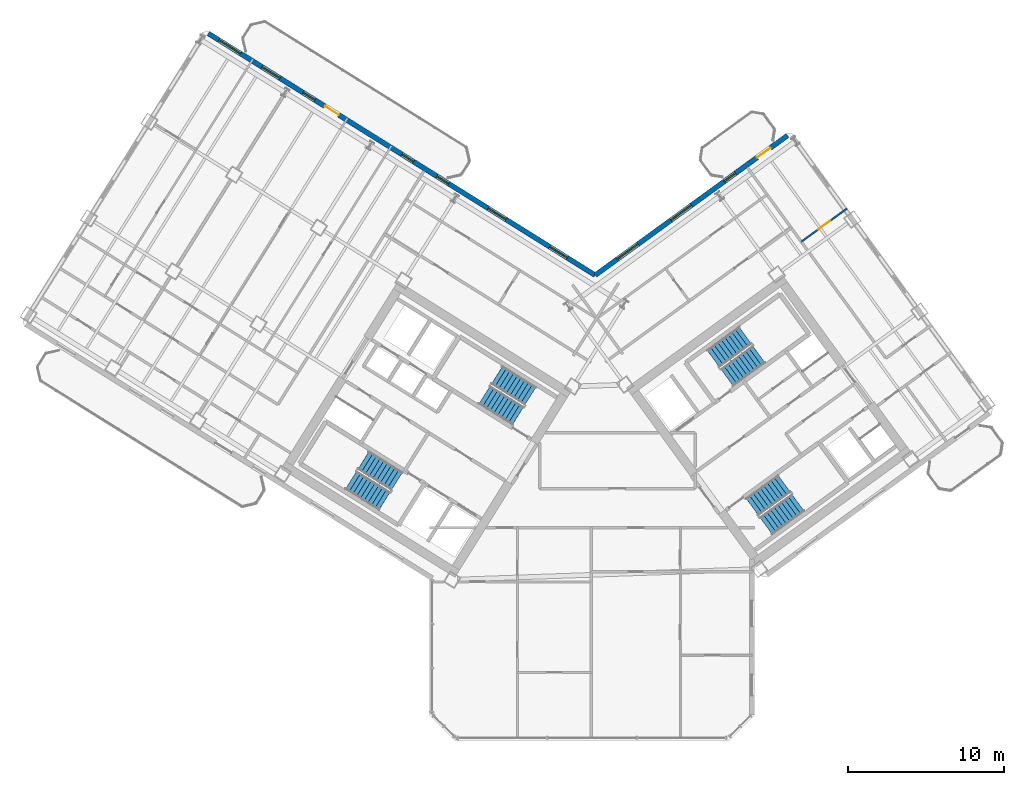
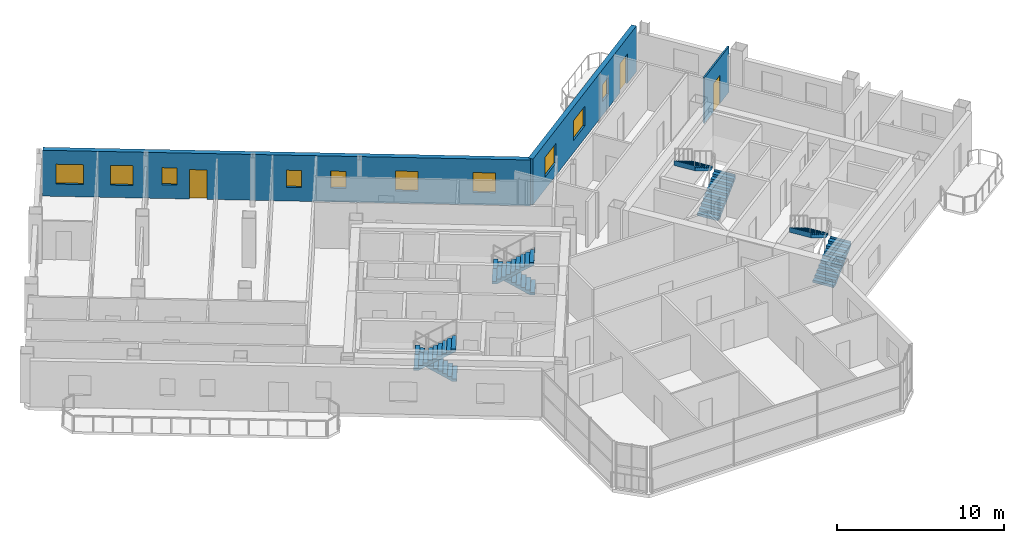
# One storey, part 16 of 20: 10 windows, 8 stair flights, 3 doors, 3 walls, 13 openings, 4 elements without a shape of their own.
"""IFC4 building model written with IfcOpenShell, lengths in metres."""

from ifc_helpers import new_model, si_unit, direction, frame, frame_2d, origin, place, context, subcontext, project, spatial, polyline, rectangle, outline, extrude, source, transform, mapped, material, layer, layer_set, type_object, element, fill, aggregate, save


model = new_model("IFC4")

# Units and contexts
model_context = context("Model", 3, precision=1e-05, world=origin(), true_north=direction((0.0, 1.0)))
body_context = subcontext(model_context, "Body", "Model", "MODEL_VIEW")
ifc_project = project(units=[si_unit("LENGTHUNIT", "METRE"), si_unit("AREAUNIT", "SQUARE_METRE"), si_unit("VOLUMEUNIT", "CUBIC_METRE"), si_unit("PLANEANGLEUNIT", "RADIAN"), si_unit("MASSUNIT", "GRAM", prefix="KILO")], contexts=[model_context])

# Site, building, storey
site_placement = place(None, origin())
site = spatial("IfcSite", under=ifc_project, at=site_placement, CompositionType="ELEMENT")
building_placement = place(site_placement, origin())
building = spatial("IfcBuilding", under=site, at=building_placement, Name="Tlacorven Tower", CompositionType="ELEMENT")
storey_placement = place(building_placement, frame((0.0, 0.0, 204.0)))
storey = spatial("IfcBuildingStorey", under=building, at=storey_placement, Name="L51", CompositionType="ELEMENT", Elevation=204.0)

# Wall, openings, door, windows
ifc_material_1 = material(Name="Precast concrete C45/55", Category="concrete")
ifc_layer_1 = layer(ifc_material_1, 0.320068359375)
ifc_layer_set_1 = layer_set([ifc_layer_1], Name="Precast concrete C45/55")
wall_type_1 = type_object("IfcWallType", Name="WL-EXT-320", PredefinedType="STANDARD", material=ifc_layer_set_1)
wall_1_placement = place(storey_placement, frame((17.423828125, 47.083251953125, 0.0), z_axis=(0.0, 0.0, 1.0), x_axis=(0.848049927979, -0.529916332693, 0.0)))
wall_1 = element("IfcWall", 1, at=wall_1_placement, inside=storey, type_object=wall_type_1, Name="L51 Masonry-Frame Recessed Facade Wall 3", PredefinedType="STANDARD", context=body_context, shape_type="SweptSolid", body=[
    extrude(rectangle(XDim=29.22314453125, YDim=0.320068359375, at=frame_2d((14.611572265625, 0.0))), origin(), (0.0, 0.0, 1.0), 3.35009765625),
])
opening_1_placement = place(wall_1_placement, frame((8.798583984375, 0.0, 0.0)))
opening_1 = element("IfcOpeningElement", 2, at=opening_1_placement, cuts=wall_1, Name="Opening D06", PredefinedType="OPENING", context=body_context, shape_type="SweptSolid", body=[
    extrude(rectangle(XDim=1.050048828125, YDim=2.14990234375, at=frame_2d((0.52490234375, 1.074951171875))), frame((0.0, 0.169921875, 0.0), z_axis=(0.0, -1.0, 0.0), x_axis=(1.0, 0.0, 0.0)), (0.0, 0.0, 1.0), 0.340087890625),
])
opening_2_placement = place(wall_1_placement, frame((0.79443359375, 0.0, 0.89990234375)))
opening_2 = element("IfcOpeningElement", 3, at=opening_2_placement, cuts=wall_1, Name="Opening WN07", PredefinedType="OPENING", context=body_context, shape_type="SweptSolid", body=[
    extrude(rectangle(XDim=1.64990234375, YDim=1.449951171875, at=frame_2d((0.824951171875, 0.72509765625))), frame((0.0, 0.169921875, 0.0), z_axis=(0.0, -1.0, 0.0), x_axis=(1.0, 0.0, 0.0)), (0.0, 0.0, 1.0), 0.340087890625),
])
opening_3_placement = place(wall_1_placement, frame((4.05615234375, 0.0, 0.89990234375)))
opening_3 = element("IfcOpeningElement", 4, at=opening_3_placement, cuts=wall_1, Name="Opening WN08", PredefinedType="OPENING", context=body_context, shape_type="SweptSolid", body=[
    extrude(rectangle(XDim=1.35009765625, YDim=1.449951171875, at=frame_2d((0.675048828125, 0.72509765625))), frame((0.0, 0.169921875, 0.0), z_axis=(0.0, -1.0, 0.0), x_axis=(1.0, 0.0, 0.0)), (0.0, 0.0, 1.0), 0.340087890625),
])
opening_4_placement = place(wall_1_placement, frame((7.151123046875, 0.0, 1.0)))
opening_4 = element("IfcOpeningElement", 5, at=opening_4_placement, cuts=wall_1, Name="Opening WN05", PredefinedType="OPENING", context=body_context, shape_type="SweptSolid", body=[
    extrude(rectangle(XDim=0.89990234375, YDim=1.25, at=frame_2d((0.449951171875, 0.625))), frame((0.0, 0.169921875, 0.0), z_axis=(0.0, -1.0, 0.0), x_axis=(1.0, 0.0, 0.0)), (0.0, 0.0, 1.0), 0.340087890625),
])
opening_5_placement = place(wall_1_placement, frame((14.6123046875, 0.0, 1.0)))
opening_5 = element("IfcOpeningElement", 6, at=opening_5_placement, cuts=wall_1, Name="Opening WN05", PredefinedType="OPENING", context=body_context, shape_type="SweptSolid", body=[
    extrude(rectangle(XDim=0.89990234375, YDim=1.25, at=frame_2d((0.449951171875, 0.625))), frame((0.0, 0.169921875, 0.0), z_axis=(0.0, -1.0, 0.0), x_axis=(1.0, 0.0, 0.0)), (0.0, 0.0, 1.0), 0.340087890625),
])
opening_6_placement = place(wall_1_placement, frame((17.253662109375, 0.0, 1.0)))
opening_6 = element("IfcOpeningElement", 7, at=opening_6_placement, cuts=wall_1, Name="Opening WN05", PredefinedType="OPENING", context=body_context, shape_type="SweptSolid", body=[
    extrude(rectangle(XDim=0.89990234375, YDim=1.25, at=frame_2d((0.449951171875, 0.625))), frame((0.0, 0.169921875, 0.0), z_axis=(0.0, -1.0, 0.0), x_axis=(1.0, 0.0, 0.0)), (0.0, 0.0, 1.0), 0.340087890625),
])
opening_7_placement = place(wall_1_placement, frame((21.138671875, 0.0, 0.89990234375)))
opening_7 = element("IfcOpeningElement", 8, at=opening_7_placement, cuts=wall_1, Name="Opening WN08", PredefinedType="OPENING", context=body_context, shape_type="SweptSolid", body=[
    extrude(rectangle(XDim=1.35009765625, YDim=1.449951171875, at=frame_2d((0.675048828125, 0.72509765625))), frame((0.0, 0.169921875, 0.0), z_axis=(0.0, -1.0, 0.0), x_axis=(1.0, 0.0, 0.0)), (0.0, 0.0, 1.0), 0.340087890625),
])
opening_8_placement = place(wall_1_placement, frame((25.7783203125, 0.0, 0.89990234375)))
opening_8 = element("IfcOpeningElement", 9, at=opening_8_placement, cuts=wall_1, Name="Opening WN08", PredefinedType="OPENING", context=body_context, shape_type="SweptSolid", body=[
    extrude(rectangle(XDim=1.35009765625, YDim=1.449951171875, at=frame_2d((0.675048828125, 0.72509765625))), frame((0.0, 0.169921875, 0.0), z_axis=(0.0, -1.0, 0.0), x_axis=(1.0, 0.0, 0.0)), (0.0, 0.0, 1.0), 0.340087890625),
])
ifc_material_2 = material(Name="Powder-coated aluminium and timber door", Category="wood")
door_type_1 = type_object("IfcDoorType", Name="DR-EXT-BALC-1050", OperationType="NOTDEFINED", PredefinedType="DOOR", material=ifc_material_2)
shared_shape_1 = source(origin(), body_context, "Body", "SweptSolid", [
    extrude(rectangle(XDim=1.050048828125, YDim=2.14990234375, at=frame_2d((0.52490234375, 1.074951171875))), frame((0.0, 0.02490234375, 0.0), z_axis=(0.0, -1.0, 0.0), x_axis=(1.0, 0.0, 0.0)), (0.0, 0.0, 1.0), 0.050048828125),
])
door_1_placement = place(opening_1_placement, origin())
door_1 = element("IfcDoor", 10, at=door_1_placement, inside=storey, type_object=door_type_1, Name="L51 Outdoor Access Door BAL-L51-W-IN", OperationType="SINGLE_SWING_RIGHT", OverallHeight=2.14990234375, OverallWidth=1.050048828125, PredefinedType="DOOR", context=body_context, shape_type="MappedRepresentation", body=[
    mapped(shared_shape_1, transform((0.0, 0.0, 0.0), scale=1.0)),
])
fill(opening_1, door_1)
ifc_material_3 = material(Name="Dark solar low-E double glazing in anodised aluminium frame", Category="aluminium")
window_type_1 = type_object("IfcWindowType", Name="WN-APT-0900X1350", PartitioningType="SINGLE_PANEL", PredefinedType="WINDOW", material=ifc_material_3)
shared_shape_2 = source(origin(), body_context, "Body", "SweptSolid", [
    extrude(rectangle(XDim=0.89990234375, YDim=1.25, at=frame_2d((0.449951171875, 0.625))), frame((0.0, 0.030029296875, 0.0), z_axis=(0.0, -1.0, 0.0), x_axis=(1.0, 0.0, 0.0)), (0.0, 0.0, 1.0), 0.06005859375),
])
window_1_placement = place(opening_4_placement, origin())
window_1 = element("IfcWindow", 11, at=window_1_placement, inside=storey, type_object=window_type_1, Name="L51 Recessed Masonry-Frame Window L51-03.3", OverallHeight=1.25, OverallWidth=0.89990234375, PartitioningType="SINGLE_PANEL", PredefinedType="WINDOW", context=body_context, shape_type="MappedRepresentation", body=[
    mapped(shared_shape_2, transform((0.0, 0.0, 0.0), scale=1.0)),
])
fill(opening_4, window_1)
window_2_placement = place(opening_5_placement, origin())
window_2 = element("IfcWindow", 12, at=window_2_placement, inside=storey, type_object=window_type_1, Name="L51 Recessed Masonry-Frame Window L51-03.4", OverallHeight=1.25, OverallWidth=0.89990234375, PartitioningType="SINGLE_PANEL", PredefinedType="WINDOW", context=body_context, shape_type="MappedRepresentation", body=[
    mapped(shared_shape_2, transform((0.0, 0.0, 0.0), scale=1.0)),
])
fill(opening_5, window_2)
window_3_placement = place(opening_6_placement, origin())
window_3 = element("IfcWindow", 13, at=window_3_placement, inside=storey, type_object=window_type_1, Name="L51 Recessed Masonry-Frame Window L51-03.5", OverallHeight=1.25, OverallWidth=0.89990234375, PartitioningType="SINGLE_PANEL", PredefinedType="WINDOW", context=body_context, shape_type="MappedRepresentation", body=[
    mapped(shared_shape_2, transform((0.0, 0.0, 0.0), scale=1.0)),
])
fill(opening_6, window_3)
window_type_2 = type_object("IfcWindowType", Name="WN-APT-1650X1600", PartitioningType="SINGLE_PANEL", PredefinedType="WINDOW", material=ifc_material_3)
shared_shape_3 = source(origin(), body_context, "Body", "SweptSolid", [
    extrude(rectangle(XDim=1.64990234375, YDim=1.449951171875, at=frame_2d((0.824951171875, 0.72509765625))), frame((0.0, 0.030029296875, 0.0), z_axis=(0.0, -1.0, 0.0), x_axis=(1.0, 0.0, 0.0)), (0.0, 0.0, 1.0), 0.06005859375),
])
window_4_placement = place(opening_2_placement, origin())
window_4 = element("IfcWindow", 14, at=window_4_placement, inside=storey, type_object=window_type_2, Name="L51 Recessed Masonry-Frame Window L51-03.1", OverallHeight=1.449951171875, OverallWidth=1.64990234375, PartitioningType="SINGLE_PANEL", PredefinedType="WINDOW", context=body_context, shape_type="MappedRepresentation", body=[
    mapped(shared_shape_3, transform((0.0, 0.0, 0.0), scale=1.0)),
])
fill(opening_2, window_4)
window_type_3 = type_object("IfcWindowType", Name="WN-APT-1350X1550", PartitioningType="SINGLE_PANEL", PredefinedType="WINDOW", material=ifc_material_3)
shared_shape_4 = source(origin(), body_context, "Body", "SweptSolid", [
    extrude(rectangle(XDim=1.35009765625, YDim=1.449951171875, at=frame_2d((0.675048828125, 0.72509765625))), frame((0.0, 0.030029296875, 0.0), z_axis=(0.0, -1.0, 0.0), x_axis=(1.0, 0.0, 0.0)), (0.0, 0.0, 1.0), 0.06005859375),
])
window_5_placement = place(opening_3_placement, origin())
window_5 = element("IfcWindow", 15, at=window_5_placement, inside=storey, type_object=window_type_3, Name="L51 Recessed Masonry-Frame Window L51-03.2", OverallHeight=1.449951171875, OverallWidth=1.35009765625, PartitioningType="SINGLE_PANEL", PredefinedType="WINDOW", context=body_context, shape_type="MappedRepresentation", body=[
    mapped(shared_shape_4, transform((0.0, 0.0, 0.0), scale=1.0)),
])
fill(opening_3, window_5)
window_6_placement = place(opening_7_placement, origin())
window_6 = element("IfcWindow", 16, at=window_6_placement, inside=storey, type_object=window_type_3, Name="L51 Recessed Masonry-Frame Window L51-03.6", OverallHeight=1.449951171875, OverallWidth=1.35009765625, PartitioningType="SINGLE_PANEL", PredefinedType="WINDOW", context=body_context, shape_type="MappedRepresentation", body=[
    mapped(shared_shape_4, transform((0.0, 0.0, 0.0), scale=1.0)),
])
fill(opening_7, window_6)
window_7_placement = place(opening_8_placement, origin())
window_7 = element("IfcWindow", 17, at=window_7_placement, inside=storey, type_object=window_type_3, Name="L51 Recessed Masonry-Frame Window L51-03.7", OverallHeight=1.449951171875, OverallWidth=1.35009765625, PartitioningType="SINGLE_PANEL", PredefinedType="WINDOW", context=body_context, shape_type="MappedRepresentation", body=[
    mapped(shared_shape_4, transform((0.0, 0.0, 0.0), scale=1.0)),
])
fill(opening_8, window_7)

wall_2_placement = place(storey_placement, frame((42.20654296875, 31.597412109375, 0.0), z_axis=(0.0, 0.0, 1.0), x_axis=(0.809020333377, 0.587780656523, 0.0)))
wall_2 = element("IfcWall", 18, at=wall_2_placement, inside=storey, type_object=wall_type_1, Name="L51 Masonry-Frame Recessed Facade Wall 4", PredefinedType="STANDARD", context=body_context, shape_type="SweptSolid", body=[
    extrude(rectangle(XDim=15.222900390625, YDim=0.320068359375, at=frame_2d((7.611328125, 0.0))), origin(), (0.0, 0.0, 1.0), 3.35009765625),
])
opening_9_placement = place(wall_2_placement, frame((12.81982421875, 0.0, 0.0)))
opening_9 = element("IfcOpeningElement", 19, at=opening_9_placement, cuts=wall_2, Name="Opening D06", PredefinedType="OPENING", context=body_context, shape_type="SweptSolid", body=[
    extrude(rectangle(XDim=1.050048828125, YDim=2.14990234375, at=frame_2d((0.52490234375, 1.074951171875))), frame((0.0, 0.169921875, 0.0), z_axis=(0.0, -1.0, 0.0), x_axis=(1.0, 0.0, 0.0)), (0.0, 0.0, 1.0), 0.340087890625),
])
opening_10_placement = place(wall_2_placement, frame((1.744873046875, 0.0, 0.89990234375)))
opening_10 = element("IfcOpeningElement", 20, at=opening_10_placement, cuts=wall_2, Name="Opening WN07", PredefinedType="OPENING", context=body_context, shape_type="SweptSolid", body=[
    extrude(rectangle(XDim=1.64990234375, YDim=1.449951171875, at=frame_2d((0.824951171875, 0.72509765625))), frame((0.0, 0.169921875, 0.0), z_axis=(0.0, -1.0, 0.0), x_axis=(1.0, 0.0, 0.0)), (0.0, 0.0, 1.0), 0.340087890625),
])
opening_11_placement = place(wall_2_placement, frame((5.984619140625, 0.0, 0.89990234375)))
opening_11 = element("IfcOpeningElement", 21, at=opening_11_placement, cuts=wall_2, Name="Opening WN07", PredefinedType="OPENING", context=body_context, shape_type="SweptSolid", body=[
    extrude(rectangle(XDim=1.64990234375, YDim=1.449951171875, at=frame_2d((0.824951171875, 0.72509765625))), frame((0.0, 0.169921875, 0.0), z_axis=(0.0, -1.0, 0.0), x_axis=(1.0, 0.0, 0.0)), (0.0, 0.0, 1.0), 0.340087890625),
])
opening_12_placement = place(wall_2_placement, frame((10.219482421875, 0.0, 1.0)))
opening_12 = element("IfcOpeningElement", 22, at=opening_12_placement, cuts=wall_2, Name="Opening WN05", PredefinedType="OPENING", context=body_context, shape_type="SweptSolid", body=[
    extrude(rectangle(XDim=0.89990234375, YDim=1.25, at=frame_2d((0.449951171875, 0.625))), frame((0.0, 0.169921875, 0.0), z_axis=(0.0, -1.0, 0.0), x_axis=(1.0, 0.0, 0.0)), (0.0, 0.0, 1.0), 0.340087890625),
])
door_2_placement = place(opening_9_placement, origin())
door_2 = element("IfcDoor", 23, at=door_2_placement, inside=storey, type_object=door_type_1, Name="L51 Outdoor Access Door BAL-L51-E-IN", OperationType="SINGLE_SWING_RIGHT", OverallHeight=2.14990234375, OverallWidth=1.050048828125, PredefinedType="DOOR", context=body_context, shape_type="MappedRepresentation", body=[
    mapped(shared_shape_1, transform((0.0, 0.0, 0.0), scale=1.0)),
])
fill(opening_9, door_2)
window_8_placement = place(opening_12_placement, origin())
window_8 = element("IfcWindow", 24, at=window_8_placement, inside=storey, type_object=window_type_1, Name="L51 Recessed Masonry-Frame Window L51-04.3", OverallHeight=1.25, OverallWidth=0.89990234375, PartitioningType="SINGLE_PANEL", PredefinedType="WINDOW", context=body_context, shape_type="MappedRepresentation", body=[
    mapped(shared_shape_2, transform((0.0, 0.0, 0.0), scale=1.0)),
])
fill(opening_12, window_8)
window_9_placement = place(opening_10_placement, origin())
window_9 = element("IfcWindow", 25, at=window_9_placement, inside=storey, type_object=window_type_2, Name="L51 Recessed Masonry-Frame Window L51-04.1", OverallHeight=1.449951171875, OverallWidth=1.64990234375, PartitioningType="SINGLE_PANEL", PredefinedType="WINDOW", context=body_context, shape_type="MappedRepresentation", body=[
    mapped(shared_shape_3, transform((0.0, 0.0, 0.0), scale=1.0)),
])
fill(opening_10, window_9)
window_10_placement = place(opening_11_placement, origin())
window_10 = element("IfcWindow", 26, at=window_10_placement, inside=storey, type_object=window_type_2, Name="L51 Recessed Masonry-Frame Window L51-04.2", OverallHeight=1.449951171875, OverallWidth=1.64990234375, PartitioningType="SINGLE_PANEL", PredefinedType="WINDOW", context=body_context, shape_type="MappedRepresentation", body=[
    mapped(shared_shape_3, transform((0.0, 0.0, 0.0), scale=1.0)),
])
fill(opening_11, window_10)

# Wall, opening, door
ifc_material_4 = material(Name="Gypsum plasterboard partition", Category="gypsum")
ifc_layer_2 = layer(ifc_material_4, 0.110107421875)
ifc_layer_set_2 = layer_set([ifc_layer_2], Name="Gypsum plasterboard partition")
wall_type_2 = type_object("IfcWallType", Name="WL-INT-110", PredefinedType="PARTITIONING", material=ifc_layer_set_2)
wall_3_placement = place(storey_placement, frame((55.40869140625, 33.73828125, 0.0), z_axis=(0.0, 0.0, 1.0), x_axis=(0.809005039917, 0.58780170584, 0.0)))
wall_3 = element("IfcWall", 27, at=wall_3_placement, inside=storey, type_object=wall_type_2, Name="L51 partition 92", PredefinedType="PARTITIONING", context=body_context, shape_type="SweptSolid", body=[
    extrude(rectangle(XDim=3.610107421875, YDim=0.110107421875, at=frame_2d((1.80517578125, 0.0))), origin(), (0.0, 0.0, 1.0), 3.340087890625),
])
opening_13_placement = place(wall_3_placement, frame((1.344970703125, 0.0, 0.0)))
opening_13 = element("IfcOpeningElement", 28, at=opening_13_placement, cuts=wall_3, Name="Opening D12", PredefinedType="OPENING", context=body_context, shape_type="SweptSolid", body=[
    extrude(rectangle(XDim=0.919921875, YDim=2.080078125, at=frame_2d((0.4599609375, 1.0400390625))), frame((0.0, 0.06494140625, 0.0), z_axis=(0.0, -1.0, 0.0), x_axis=(1.0, 0.0, 0.0)), (0.0, 0.0, 1.0), 0.130126953125),
])
door_type_2 = type_object("IfcDoorType", Name="DR-INT-ROOM-0920", OperationType="NOTDEFINED", PredefinedType="DOOR", material=ifc_material_2)
shared_shape_5 = source(origin(), body_context, "Body", "SweptSolid", [
    extrude(rectangle(XDim=0.919921875, YDim=2.080078125, at=frame_2d((0.4599609375, 1.0400390625))), frame((0.0, 0.02490234375, 0.0), z_axis=(0.0, -1.0, 0.0), x_axis=(1.0, 0.0, 0.0)), (0.0, 0.0, 1.0), 0.050048828125),
])
door_3_placement = place(opening_13_placement, origin())
door_3 = element("IfcDoor", 29, at=door_3_placement, inside=storey, type_object=door_type_2, Name="L51 door 054", OperationType="SINGLE_SWING_RIGHT", OverallHeight=2.080078125, OverallWidth=0.919921875, PredefinedType="DOOR", context=body_context, shape_type="MappedRepresentation", body=[
    mapped(shared_shape_5, transform((0.0, 0.0, 0.0), scale=1.0)),
])
fill(opening_13, door_3)

# Stair, stair flights
ifc_material_5 = material(Name="Concrete C40/50", Category="concrete")
stair_type = type_object("IfcStairType", Name="ST-CORE-DLG", PredefinedType="HALF_TURN_STAIR", material=ifc_material_5)
stair_1_placement = place(storey_placement, origin())
stair_1 = element("IfcStair", 30, at=stair_1_placement, inside=storey, type_object=stair_type, Name="L51 Protected Exit Stair West 1", PredefinedType="HALF_TURN_STAIR")
stair_flight_type = type_object("IfcStairFlightType", Name="SFL-RC-1380", PredefinedType="STRAIGHT", material=ifc_material_5)
shared_shape_6 = source(origin(), body_context, "Body", "SweptSolid", [
    extrude(outline(polyline([(-0.0029296875, -0.0029296875), (-0.0029296875, 0.179931640625), (0.280029296875, 0.179931640625), (0.280029296875, 0.360107421875), (0.56005859375, 0.360107421875), (0.56005859375, 0.5400390625), (0.840087890625, 0.5400390625), (0.840087890625, 0.719970703125), (1.1201171875, 0.719970703125), (1.1201171875, 0.89990234375), (1.39990234375, 0.89990234375), (1.39990234375, 1.080078125), (1.679931640625, 1.080078125), (1.679931640625, 1.260009765625), (1.9599609375, 1.260009765625), (1.9599609375, 1.43994140625), (2.239990234375, 1.43994140625), (2.239990234375, 1.6201171875), (2.52001953125, 1.6201171875), (2.52001953125, 1.800048828125), (2.52294921875, 1.800048828125), (2.52294921875, 1.429931640625), (2.52001953125, 1.429931640625), (0.295654296875, 0.0), (0.295654296875, -0.0029296875), (-0.0029296875, -0.0029296875)])), frame((0.0, 0.68994140625, 0.0), z_axis=(0.0, -1.0, 0.0), x_axis=(1.0, 0.0, 0.0)), (0.0, 0.0, 1.0), 1.3798828125),
])
stair_flight_1_placement = place(storey_placement, frame((29.499755859375, 18.39453125, 0.0), z_axis=(0.0, 0.0, 1.0), x_axis=(-0.848048096156, 0.529919264233, 0.0)))
stair_flight_1 = element("IfcStairFlight", 31, at=stair_flight_1_placement, type_object=stair_flight_type, Name="ST-W1 flight 1", NumberOfRisers=10, NumberOfTreads=9, PredefinedType="STRAIGHT", RiserHeight=0.18, TreadLength=0.28, context=body_context, shape_type="MappedRepresentation", body=[
    mapped(shared_shape_6, transform((0.0, 0.0, 0.0), scale=1.0)),
])
stair_flight_2_placement = place(storey_placement, frame((26.56787109375, 18.4580078125, 1.800048828125), z_axis=(0.0, 0.0, 1.0), x_axis=(0.848048096156, -0.529919264233, 0.0)))
stair_flight_2 = element("IfcStairFlight", 32, at=stair_flight_2_placement, type_object=stair_flight_type, Name="ST-W1 flight 2", NumberOfRisers=10, NumberOfTreads=9, PredefinedType="STRAIGHT", RiserHeight=0.18, TreadLength=0.28, context=body_context, shape_type="MappedRepresentation", body=[
    mapped(shared_shape_6, transform((0.0, 0.0, 0.0), scale=1.0)),
])
aggregate(stair_1, [stair_flight_1, stair_flight_2])

stair_2_placement = place(storey_placement, origin())
stair_2 = element("IfcStair", 33, at=stair_2_placement, inside=storey, type_object=stair_type, Name="L51 Protected Exit Stair West 2", PredefinedType="HALF_TURN_STAIR")
stair_flight_3_placement = place(storey_placement, frame((38.051513671875, 23.852294921875, 0.0), z_axis=(0.0, 0.0, 1.0), x_axis=(-0.848048096156, 0.529919264233, 0.0)))
stair_flight_3 = element("IfcStairFlight", 34, at=stair_flight_3_placement, type_object=stair_flight_type, Name="ST-W2 flight 1", NumberOfRisers=10, NumberOfTreads=9, PredefinedType="STRAIGHT", RiserHeight=0.18, TreadLength=0.28, context=body_context, shape_type="MappedRepresentation", body=[
    mapped(shared_shape_6, transform((0.0, 0.0, 0.0), scale=1.0)),
])
stair_flight_4_placement = place(storey_placement, frame((35.119384765625, 23.91552734375, 1.800048828125), z_axis=(0.0, 0.0, 1.0), x_axis=(0.848048096156, -0.529919264233, 0.0)))
stair_flight_4 = element("IfcStairFlight", 35, at=stair_flight_4_placement, type_object=stair_flight_type, Name="ST-W2 flight 2", NumberOfRisers=10, NumberOfTreads=9, PredefinedType="STRAIGHT", RiserHeight=0.18, TreadLength=0.28, context=body_context, shape_type="MappedRepresentation", body=[
    mapped(shared_shape_6, transform((0.0, 0.0, 0.0), scale=1.0)),
])
aggregate(stair_2, [stair_flight_3, stair_flight_4])

stair_3_placement = place(storey_placement, origin())
stair_3 = element("IfcStair", 36, at=stair_3_placement, inside=storey, type_object=stair_type, Name="L51 Protected Exit Stair East 1", PredefinedType="HALF_TURN_STAIR")
stair_flight_5_placement = place(storey_placement, frame((50.6533203125, 25.0400390625, 0.0), z_axis=(0.0, 0.0, 1.0), x_axis=(0.809016994375, 0.587785252292, 0.0)))
stair_flight_5 = element("IfcStairFlight", 37, at=stair_flight_5_placement, type_object=stair_flight_type, Name="ST-E1 flight 1", NumberOfRisers=10, NumberOfTreads=9, PredefinedType="STRAIGHT", RiserHeight=0.18, TreadLength=0.28, context=body_context, shape_type="MappedRepresentation", body=[
    mapped(shared_shape_6, transform((0.0, 0.0, 0.0), scale=1.0)),
])
stair_flight_6_placement = place(storey_placement, frame((51.810546875, 27.734619140625, 1.800048828125), z_axis=(0.0, 0.0, 1.0), x_axis=(-0.809016994375, -0.587785252292, 0.0)))
stair_flight_6 = element("IfcStairFlight", 38, at=stair_flight_6_placement, type_object=stair_flight_type, Name="ST-E1 flight 2", NumberOfRisers=10, NumberOfTreads=9, PredefinedType="STRAIGHT", RiserHeight=0.18, TreadLength=0.28, context=body_context, shape_type="MappedRepresentation", body=[
    mapped(shared_shape_6, transform((0.0, 0.0, 0.0), scale=1.0)),
])
aggregate(stair_3, [stair_flight_5, stair_flight_6])

stair_4_placement = place(storey_placement, origin())
stair_4 = element("IfcStair", 39, at=stair_4_placement, inside=storey, type_object=stair_type, Name="L51 Protected Exit Stair East 2", PredefinedType="HALF_TURN_STAIR")
stair_flight_7_placement = place(storey_placement, frame((53.157470703125, 15.536865234375, 0.0), z_axis=(0.0, 0.0, 1.0), x_axis=(0.809016994375, 0.587785252292, 0.0)))
stair_flight_7 = element("IfcStairFlight", 40, at=stair_flight_7_placement, type_object=stair_flight_type, Name="ST-E2 flight 1", NumberOfRisers=10, NumberOfTreads=9, PredefinedType="STRAIGHT", RiserHeight=0.18, TreadLength=0.28, context=body_context, shape_type="MappedRepresentation", body=[
    mapped(shared_shape_6, transform((0.0, 0.0, 0.0), scale=1.0)),
])
stair_flight_8_placement = place(storey_placement, frame((54.314453125, 18.231689453125, 1.800048828125), z_axis=(0.0, 0.0, 1.0), x_axis=(-0.809016994375, -0.587785252292, 0.0)))
stair_flight_8 = element("IfcStairFlight", 41, at=stair_flight_8_placement, type_object=stair_flight_type, Name="ST-E2 flight 2", NumberOfRisers=10, NumberOfTreads=9, PredefinedType="STRAIGHT", RiserHeight=0.18, TreadLength=0.28, context=body_context, shape_type="MappedRepresentation", body=[
    mapped(shared_shape_6, transform((0.0, 0.0, 0.0), scale=1.0)),
])
aggregate(stair_4, [stair_flight_7, stair_flight_8])

save(model, "model.ifc")
